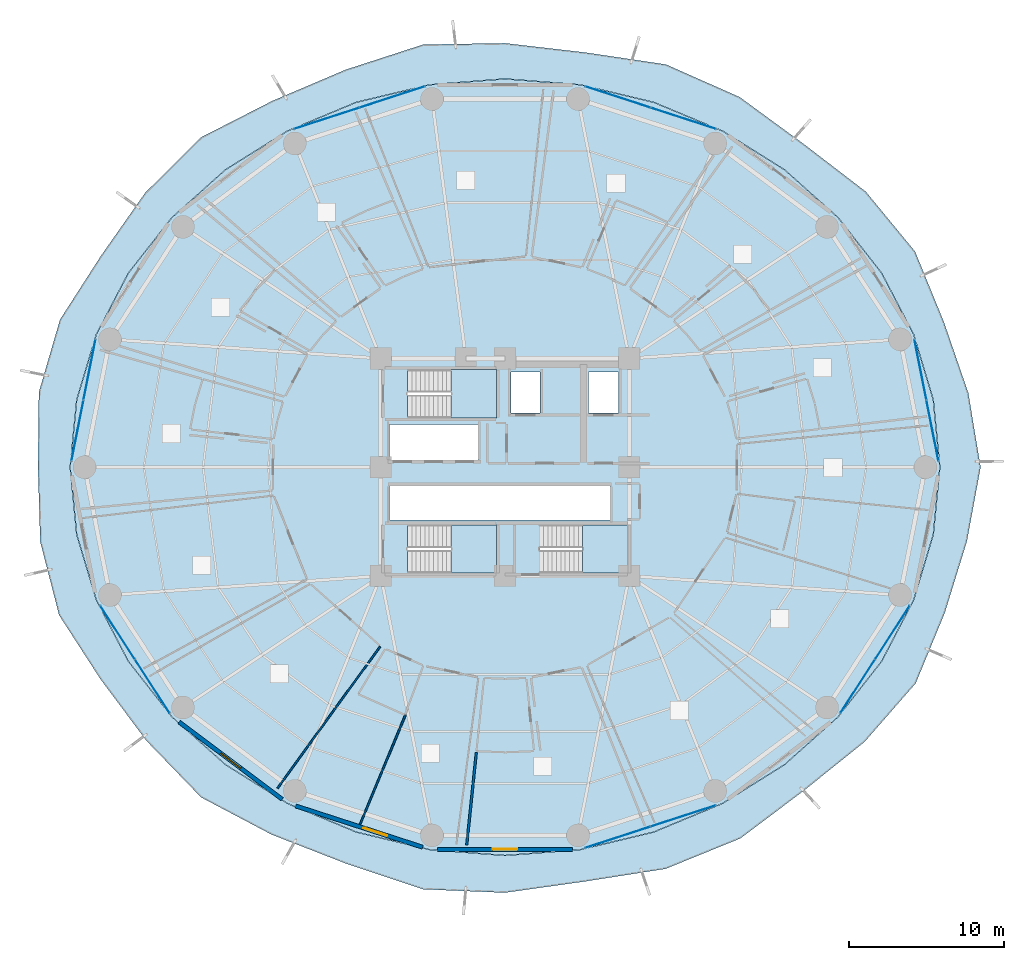
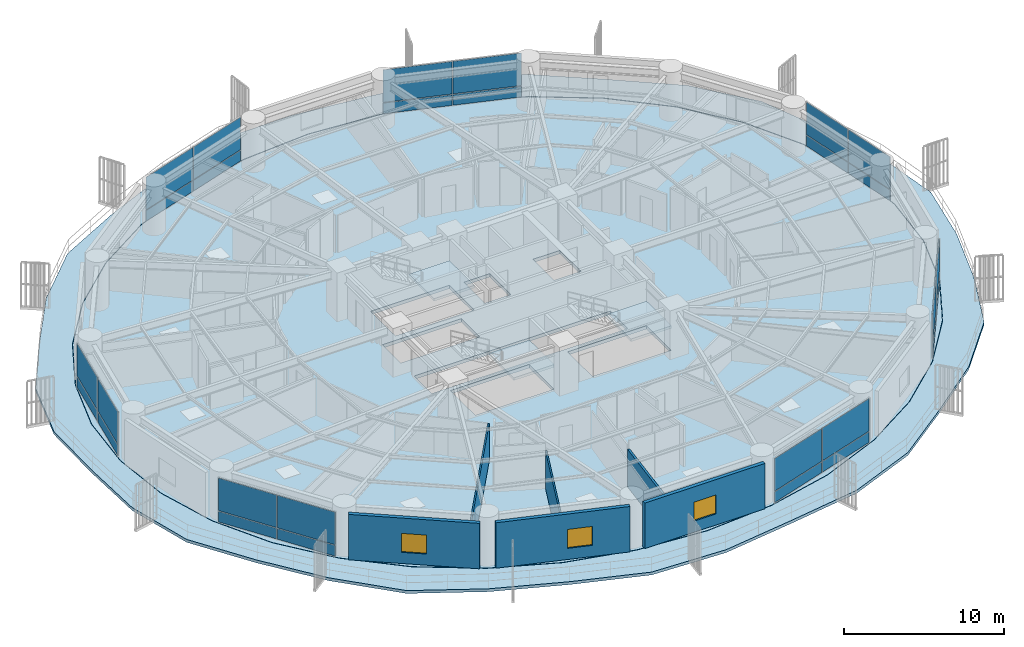
# One storey, part 21 of 32: 28 plates, 6 walls, 5 slabs, 3 windows, 3 openings, 10 elements without a shape of their own.
"""IFC4 building model written with IfcOpenShell, lengths in metres."""

from ifc_helpers import new_model, si_unit, direction, frame, frame_2d, origin, origin_2d, place, context, subcontext, project, spatial, polyline, rectangle, outline, extrude, source, transform, mapped, material, layer, layer_set, type_object, element, fill, aggregate, save


model = new_model("IFC4")

# Units and contexts
model_context = context("Model", 3, precision=1e-05, world=origin(), true_north=direction((0.0, 1.0)))
body_context = subcontext(model_context, "Body", "Model", "MODEL_VIEW")
ifc_project = project(units=[si_unit("LENGTHUNIT", "METRE"), si_unit("AREAUNIT", "SQUARE_METRE"), si_unit("VOLUMEUNIT", "CUBIC_METRE"), si_unit("PLANEANGLEUNIT", "RADIAN"), si_unit("MASSUNIT", "GRAM", prefix="KILO")], contexts=[model_context])

# Site, building, storey
site_placement = place(None, origin())
site = spatial("IfcSite", under=ifc_project, at=site_placement, CompositionType="ELEMENT")
building_placement = place(site_placement, origin())
building = spatial("IfcBuilding", under=site, at=building_placement, Name="Kelanora Arch Commons", CompositionType="ELEMENT")
storey_placement = place(building_placement, frame((0.0, 0.0, 48.75)))
storey = spatial("IfcBuildingStorey", under=building, at=storey_placement, Name="L12", CompositionType="ELEMENT", Elevation=48.75)

# Stair, slab
ifc_material_1 = material(Name="Concrete C40/50", Category="concrete")
stair_type = type_object("IfcStairType", Name="STR-DL-375", PredefinedType="HALF_TURN_STAIR", material=ifc_material_1)
stair_1_placement = place(storey_placement, origin())
stair_1 = element("IfcStair", 1, at=stair_1_placement, inside=storey, type_object=stair_type, Name="L12 ST-T1", PredefinedType="HALF_TURN_STAIR")
ifc_layer_1 = layer(ifc_material_1, 0.199951171875)
ifc_layer_set_1 = layer_set([ifc_layer_1], Name="Concrete C40/50")
slab_type_1 = type_object("IfcSlabType", Name="SLB-STAIR-LND", PredefinedType="LANDING", material=ifc_layer_set_1)
slab_1_placement = place(storey_placement, frame((0.0, 0.0, 1.675048828125)))
slab_1 = element("IfcSlab", 2, at=slab_1_placement, type_object=slab_type_1, Name="ST-T1 landing 1", PredefinedType="LANDING", context=body_context, shape_type="SweptSolid", body=[
    extrude(outline(polyline([(70.52001953125, 61.179931640625), (73.43994140625, 61.179931640625), (73.43994140625, 64.2900390625), (70.52001953125, 64.2900390625), (70.52001953125, 61.179931640625)])), origin(), (0.0, 0.0, 1.0), 0.199951171875),
])
aggregate(stair_1, [slab_1])

stair_2_placement = place(storey_placement, origin())
stair_2 = element("IfcStair", 3, at=stair_2_placement, inside=storey, type_object=stair_type, Name="L12 ST-T2", PredefinedType="HALF_TURN_STAIR")
slab_2_placement = place(storey_placement, frame((0.0, 0.0, 1.675048828125)))
slab_2 = element("IfcSlab", 4, at=slab_2_placement, type_object=slab_type_1, Name="ST-T2 landing 1", PredefinedType="LANDING", context=body_context, shape_type="SweptSolid", body=[
    extrude(outline(polyline([(79.0, 51.179931640625), (81.919921875, 51.179931640625), (81.919921875, 54.2900390625), (79.0, 54.2900390625), (79.0, 51.179931640625)])), origin(), (0.0, 0.0, 1.0), 0.199951171875),
])
aggregate(stair_2, [slab_2])

stair_3_placement = place(storey_placement, origin())
stair_3 = element("IfcStair", 5, at=stair_3_placement, inside=storey, type_object=stair_type, Name="L12 ST-T3", PredefinedType="HALF_TURN_STAIR")
slab_3_placement = place(storey_placement, frame((0.0, 0.0, 1.675048828125)))
slab_3 = element("IfcSlab", 6, at=slab_3_placement, type_object=slab_type_1, Name="ST-T3 landing 1", PredefinedType="LANDING", context=body_context, shape_type="SweptSolid", body=[
    extrude(outline(polyline([(70.52001953125, 51.179931640625), (73.43994140625, 51.179931640625), (73.43994140625, 54.2900390625), (70.52001953125, 54.2900390625), (70.52001953125, 51.179931640625)])), origin(), (0.0, 0.0, 1.0), 0.199951171875),
])
aggregate(stair_3, [slab_3])

# Slabs
ifc_layer_2 = layer(ifc_material_1, 0.260009765625)
ifc_layer_set_2 = layer_set([ifc_layer_2], Name="Concrete C40/50")
slab_type_2 = type_object("IfcSlabType", Name="SLB-TWR-TYP", PredefinedType="FLOOR", material=ifc_layer_set_2)
slab_4_placement = place(storey_placement, frame((0.0, 0.0, -0.260009765625)))
element("IfcSlab", 7, at=slab_4_placement, inside=storey, type_object=slab_type_2, Name="Tower Floor Slab L12", PredefinedType="FLOOR", context=body_context, shape_type="SweptSolid", body=[
    extrude(outline(polyline([(102.0, 58.0), (101.57470703125, 62.34130859375), (100.311279296875, 66.550537109375), (98.248779296875, 70.5), (95.44921875, 74.069580078125), (91.998046875, 77.151123046875), (88.0, 79.650634765625), (83.57666015625, 81.4921875), (78.862060546875, 82.6201171875), (74.0, 83.0), (69.137939453125, 82.6201171875), (64.42333984375, 81.4921875), (60.0, 79.650634765625), (56.001953125, 77.151123046875), (52.55078125, 74.069580078125), (49.751220703125, 70.5), (47.688720703125, 66.550537109375), (46.42529296875, 62.34130859375), (46.0, 58.0), (46.42529296875, 53.65869140625), (47.688720703125, 49.449462890625), (49.751220703125, 45.5), (52.55078125, 41.930419921875), (56.001953125, 38.848876953125), (60.0, 36.349365234375), (64.42333984375, 34.5078125), (69.137939453125, 33.3798828125), (74.0, 33.0), (78.862060546875, 33.3798828125), (83.57666015625, 34.5078125), (88.0, 36.349365234375), (91.998046875, 38.848876953125), (95.44921875, 41.930419921875), (98.248779296875, 45.5), (100.311279296875, 49.449462890625), (101.57470703125, 53.65869140625), (102.0, 58.0)]), holes=[polyline([(73.431884765625, 51.18798828125), (67.72802734375, 51.18798828125), (67.72802734375, 54.281982421875), (73.431884765625, 54.281982421875), (73.431884765625, 51.18798828125)]), polyline([(76.2080078125, 51.18798828125), (76.2080078125, 54.281982421875), (81.912109375, 54.281982421875), (81.912109375, 51.18798828125), (76.2080078125, 51.18798828125)]), polyline([(66.550048828125, 54.60009765625), (66.550048828125, 56.800048828125), (80.75, 56.800048828125), (80.75, 54.60009765625), (66.550048828125, 54.60009765625)]), polyline([(66.550048828125, 58.449951171875), (66.550048828125, 60.75), (72.25, 60.75), (72.25, 58.449951171875), (66.550048828125, 58.449951171875)]), polyline([(67.72802734375, 61.18798828125), (67.72802734375, 64.281982421875), (73.431884765625, 64.281982421875), (73.431884765625, 61.18798828125), (67.72802734375, 61.18798828125)]), polyline([(74.3798828125, 61.47998046875), (74.3798828125, 64.1201171875), (76.260009765625, 64.1201171875), (76.260009765625, 61.47998046875), (74.3798828125, 61.47998046875)]), polyline([(79.3798828125, 61.47998046875), (79.3798828125, 64.1201171875), (81.320068359375, 64.1201171875), (81.320068359375, 61.47998046875), (79.3798828125, 61.47998046875)])]), origin(), (0.0, 0.0, 1.0), 0.260009765625),
])
ifc_layer_3 = layer(ifc_material_1, 0.219970703125)
ifc_layer_set_3 = layer_set([ifc_layer_3], Name="Concrete C40/50")
slab_type_3 = type_object("IfcSlabType", Name="SLB-WAVE-BAL", PredefinedType="FLOOR", material=ifc_layer_set_3)
slab_5_placement = place(storey_placement, frame((0.0, 0.0, -0.219970703125)))
element("IfcSlab", 8, at=slab_5_placement, inside=storey, type_object=slab_type_3, Name="Sinusoidal Wave Balcony Slab L12", PredefinedType="FLOOR", context=body_context, shape_type="SweptSolid", body=[
    extrude(outline(polyline([(104.63330078125, 58.0), (103.839599609375, 62.78857421875), (102.27001953125, 67.348876953125), (100.408447265625, 71.896484375), (97.23681640625, 75.749755859375), (93.24365234375, 78.813720703125), (89.1240234375, 81.831298828125), (84.37158203125, 83.9384765625), (79.191162109375, 84.70947265625), (74.0, 85.308837890625), (68.728271484375, 85.221435546875), (63.738037109375, 83.601318359375), (59.002197265625, 81.586181640625), (54.4306640625, 79.248291015625), (50.832763671875, 75.68408203125), (47.99267578125, 71.63720703125), (45.3388671875, 67.50830078125), (43.97509765625, 62.8251953125), (43.918212890625, 58.0), (44.06494140625, 53.192626953125), (45.281005859375, 48.468017578125), (47.95166015625, 44.336181640625), (50.902587890625, 40.38134765625), (54.42041015625, 36.738037109375), (58.963623046875, 34.339111328125), (63.760986328125, 32.469482421875), (68.7333984375, 30.8115234375), (74.0, 30.593994140625), (79.185791015625, 31.323486328125), (84.348388671875, 32.132568359375), (89.16259765625, 34.093994140625), (93.25390625, 37.172607421875), (97.167236328125, 40.31591796875), (100.44921875, 44.076904296875), (102.327880859375, 48.62744140625), (103.75, 53.229248046875), (104.63330078125, 58.0)]), holes=[polyline([(101.59423828125, 53.6552734375), (100.330078125, 49.442626953125), (98.26611328125, 45.489990234375), (95.464599609375, 41.91748046875), (92.010986328125, 38.83349609375), (88.010009765625, 36.33203125), (83.58349609375, 34.489013671875), (78.865478515625, 33.360107421875), (74.0, 32.97998046875), (69.134521484375, 33.360107421875), (64.41650390625, 34.489013671875), (59.989990234375, 36.33203125), (55.989013671875, 38.83349609375), (52.535400390625, 41.91748046875), (49.73388671875, 45.489990234375), (47.669921875, 49.442626953125), (46.40576171875, 53.6552734375), (45.97998046875, 58.0), (46.40576171875, 62.3447265625), (47.669921875, 66.557373046875), (49.73388671875, 70.510009765625), (52.535400390625, 74.08251953125), (55.989013671875, 77.16650390625), (59.989990234375, 79.66796875), (64.41650390625, 81.510986328125), (69.134521484375, 82.639892578125), (74.0, 83.02001953125), (78.865478515625, 82.639892578125), (83.58349609375, 81.510986328125), (88.010009765625, 79.66796875), (92.010986328125, 77.16650390625), (95.464599609375, 74.08251953125), (98.26611328125, 70.510009765625), (100.330078125, 66.557373046875), (101.59423828125, 62.3447265625), (102.02001953125, 58.0), (101.59423828125, 53.6552734375)])]), origin(), (0.0, 0.0, 1.0), 0.219970703125),
])

# Curtain wall, plates
ifc_material_2 = material(Name="Terracotta ceramic-fritted low-E glass and aluminium", Category="masonry")
ifc_layer_4 = layer(ifc_material_2, 0.159912109375)
ifc_layer_set_4 = layer_set([ifc_layer_4], Name="Terracotta ceramic-fritted low-E glass and aluminium")
curtain_wall_type = type_object("IfcCurtainWallType", Name="CW-SYS-01", PredefinedType="NOTDEFINED", material=ifc_layer_set_4)
curtain_wall_1_placement = place(storey_placement, origin())
curtain_wall_1 = element("IfcCurtainWall", 9, at=curtain_wall_1_placement, inside=storey, type_object=curtain_wall_type, Name="Unitised Curtain Wall L12-B00", PredefinedType="NOTDEFINED")
ifc_material_3 = material(Name="Terracotta ceramic-fritted double glazing", Category="masonry")
ifc_layer_5 = layer(ifc_material_3, 0.028076171875)
ifc_layer_set_5 = layer_set([ifc_layer_5], Name="Terracotta ceramic-fritted double glazing")
plate_type = type_object("IfcPlateType", Name="CWP-FRIT", PredefinedType="CURTAIN_PANEL", material=ifc_layer_set_5)
shared_shape_1 = source(origin(), body_context, "Body", "SweptSolid", [
    extrude(rectangle(XDim=3.9482421875, YDim=0.028076171875, at=origin_2d()), origin(), (0.0, 0.0, 1.0), 0.81005859375),
])
plate_1_placement = place(storey_placement, frame((101.536865234375, 60.34521484375, 0.06005859375), z_axis=(0.0, 0.0, 1.0), x_axis=(-0.193744048498, 0.981052110579, 0.0)))
plate_1 = element("IfcPlate", 10, at=plate_1_placement, type_object=plate_type, Name="CW-01 panel 1.1", PredefinedType="CURTAIN_PANEL", context=body_context, shape_type="MappedRepresentation", body=[
    mapped(shared_shape_1, transform((0.0, 0.0, 0.0), scale=1.0)),
])
plate_2_placement = place(storey_placement, frame((100.76025390625, 64.277587890625, 0.06005859375), z_axis=(0.0, 0.0, 1.0), x_axis=(-0.193744048498, 0.981052110579, 0.0)))
plate_2 = element("IfcPlate", 11, at=plate_2_placement, type_object=plate_type, Name="CW-01 panel 2.1", PredefinedType="CURTAIN_PANEL", context=body_context, shape_type="MappedRepresentation", body=[
    mapped(shared_shape_1, transform((0.0, 0.0, 0.0), scale=1.0)),
])

curtain_wall_2_placement = place(storey_placement, origin())
curtain_wall_2 = element("IfcCurtainWall", 12, at=curtain_wall_2_placement, inside=storey, type_object=curtain_wall_type, Name="Unitised Curtain Wall L12-B08", PredefinedType="NOTDEFINED")
plate_3_placement = place(storey_placement, frame((47.23974609375, 64.277587890625, 0.06005859375), z_axis=(0.0, 0.0, 1.0), x_axis=(-0.193744048498, -0.981052110579, 0.0)))
plate_3 = element("IfcPlate", 13, at=plate_3_placement, type_object=plate_type, Name="CW-01 panel 1.1", PredefinedType="CURTAIN_PANEL", context=body_context, shape_type="MappedRepresentation", body=[
    mapped(shared_shape_1, transform((0.0, 0.0, 0.0), scale=1.0)),
])
plate_4_placement = place(storey_placement, frame((46.463134765625, 60.34521484375, 0.06005859375), z_axis=(0.0, 0.0, 1.0), x_axis=(-0.193744048498, -0.981052110579, 0.0)))
plate_4 = element("IfcPlate", 14, at=plate_4_placement, type_object=plate_type, Name="CW-01 panel 2.1", PredefinedType="CURTAIN_PANEL", context=body_context, shape_type="MappedRepresentation", body=[
    mapped(shared_shape_1, transform((0.0, 0.0, 0.0), scale=1.0)),
])

# Plate
shared_shape_2 = source(origin(), body_context, "Body", "SweptSolid", [
    extrude(rectangle(XDim=3.9482421875, YDim=0.028076171875, at=origin_2d()), origin(), (0.0, 0.0, 1.0), 2.485107421875),
])
plate_5_placement = place(storey_placement, frame((101.536865234375, 60.34521484375, 0.93017578125), z_axis=(0.0, 0.0, 1.0), x_axis=(-0.193744048498, 0.981052110579, 0.0)))
plate_5 = element("IfcPlate", 15, at=plate_5_placement, type_object=plate_type, Name="CW-01 panel 1.2", PredefinedType="CURTAIN_PANEL", context=body_context, shape_type="MappedRepresentation", body=[
    mapped(shared_shape_2, transform((0.0, 0.0, 0.0), scale=1.0)),
])

plate_6_placement = place(storey_placement, frame((100.76025390625, 64.277587890625, 0.93017578125), z_axis=(0.0, 0.0, 1.0), x_axis=(-0.193744048498, 0.981052110579, 0.0)))
plate_6 = element("IfcPlate", 16, at=plate_6_placement, type_object=plate_type, Name="CW-01 panel 2.2", PredefinedType="CURTAIN_PANEL", context=body_context, shape_type="MappedRepresentation", body=[
    mapped(shared_shape_2, transform((0.0, 0.0, 0.0), scale=1.0)),
])

aggregate(curtain_wall_1, [plate_1, plate_5, plate_2, plate_6])

plate_7_placement = place(storey_placement, frame((47.23974609375, 64.277587890625, 0.93017578125), z_axis=(0.0, 0.0, 1.0), x_axis=(-0.193744048498, -0.981052110579, 0.0)))
plate_7 = element("IfcPlate", 17, at=plate_7_placement, type_object=plate_type, Name="CW-01 panel 1.2", PredefinedType="CURTAIN_PANEL", context=body_context, shape_type="MappedRepresentation", body=[
    mapped(shared_shape_2, transform((0.0, 0.0, 0.0), scale=1.0)),
])

plate_8_placement = place(storey_placement, frame((46.463134765625, 60.34521484375, 0.93017578125), z_axis=(0.0, 0.0, 1.0), x_axis=(-0.193744048498, -0.981052110579, 0.0)))
plate_8 = element("IfcPlate", 18, at=plate_8_placement, type_object=plate_type, Name="CW-01 panel 2.2", PredefinedType="CURTAIN_PANEL", context=body_context, shape_type="MappedRepresentation", body=[
    mapped(shared_shape_2, transform((0.0, 0.0, 0.0), scale=1.0)),
])

aggregate(curtain_wall_2, [plate_3, plate_7, plate_4, plate_8])

# Curtain wall, plates
curtain_wall_3_placement = place(storey_placement, origin())
curtain_wall_3 = element("IfcCurtainWall", 19, at=curtain_wall_3_placement, inside=storey, type_object=curtain_wall_type, Name="Unitised Curtain Wall L12-B03", PredefinedType="NOTDEFINED")
shared_shape_3 = source(origin(), body_context, "Body", "SweptSolid", [
    extrude(rectangle(XDim=4.39453125, YDim=0.028076171875, at=origin_2d()), origin(), (0.0, 0.0, 1.0), 0.81005859375),
])
plate_9_placement = place(storey_placement, frame((85.4892578125, 80.466552734375, 0.06005859375), z_axis=(0.0, 0.0, 1.0), x_axis=(-0.951043326793, 0.30905758454, 0.0)))
plate_9 = element("IfcPlate", 20, at=plate_9_placement, type_object=plate_type, Name="CW-01 panel 1.1", PredefinedType="CURTAIN_PANEL", context=body_context, shape_type="MappedRepresentation", body=[
    mapped(shared_shape_3, transform((0.0, 0.0, 0.0), scale=1.0)),
])
plate_10_placement = place(storey_placement, frame((81.252685546875, 81.84326171875, 0.06005859375), z_axis=(0.0, 0.0, 1.0), x_axis=(-0.951043326793, 0.30905758454, 0.0)))
plate_10 = element("IfcPlate", 21, at=plate_10_placement, type_object=plate_type, Name="CW-01 panel 2.1", PredefinedType="CURTAIN_PANEL", context=body_context, shape_type="MappedRepresentation", body=[
    mapped(shared_shape_3, transform((0.0, 0.0, 0.0), scale=1.0)),
])

curtain_wall_4_placement = place(storey_placement, origin())
curtain_wall_4 = element("IfcCurtainWall", 22, at=curtain_wall_4_placement, inside=storey, type_object=curtain_wall_type, Name="Unitised Curtain Wall L12-B05", PredefinedType="NOTDEFINED")
plate_11_placement = place(storey_placement, frame((66.747314453125, 81.84326171875, 0.06005859375), z_axis=(0.0, 0.0, 1.0), x_axis=(-0.951043326793, -0.30905758454, 0.0)))
plate_11 = element("IfcPlate", 23, at=plate_11_placement, type_object=plate_type, Name="CW-01 panel 1.1", PredefinedType="CURTAIN_PANEL", context=body_context, shape_type="MappedRepresentation", body=[
    mapped(shared_shape_3, transform((0.0, 0.0, 0.0), scale=1.0)),
])
plate_12_placement = place(storey_placement, frame((62.5107421875, 80.466552734375, 0.06005859375), z_axis=(0.0, 0.0, 1.0), x_axis=(-0.951043326793, -0.30905758454, 0.0)))
plate_12 = element("IfcPlate", 24, at=plate_12_placement, type_object=plate_type, Name="CW-01 panel 2.1", PredefinedType="CURTAIN_PANEL", context=body_context, shape_type="MappedRepresentation", body=[
    mapped(shared_shape_3, transform((0.0, 0.0, 0.0), scale=1.0)),
])

curtain_wall_5_placement = place(storey_placement, origin())
curtain_wall_5 = element("IfcCurtainWall", 25, at=curtain_wall_5_placement, inside=storey, type_object=curtain_wall_type, Name="Unitised Curtain Wall L12-B14", PredefinedType="NOTDEFINED")
plate_13_placement = place(storey_placement, frame((81.252685546875, 34.15673828125, 0.06005859375), z_axis=(0.0, 0.0, 1.0), x_axis=(0.951043326793, 0.30905758454, 0.0)))
plate_13 = element("IfcPlate", 26, at=plate_13_placement, type_object=plate_type, Name="CW-01 panel 1.1", PredefinedType="CURTAIN_PANEL", context=body_context, shape_type="MappedRepresentation", body=[
    mapped(shared_shape_3, transform((0.0, 0.0, 0.0), scale=1.0)),
])
plate_14_placement = place(storey_placement, frame((85.4892578125, 35.533447265625, 0.06005859375), z_axis=(0.0, 0.0, 1.0), x_axis=(0.951043326793, 0.30905758454, 0.0)))
plate_14 = element("IfcPlate", 27, at=plate_14_placement, type_object=plate_type, Name="CW-01 panel 2.1", PredefinedType="CURTAIN_PANEL", context=body_context, shape_type="MappedRepresentation", body=[
    mapped(shared_shape_3, transform((0.0, 0.0, 0.0), scale=1.0)),
])

# Plate
shared_shape_4 = source(origin(), body_context, "Body", "SweptSolid", [
    extrude(rectangle(XDim=4.39453125, YDim=0.028076171875, at=origin_2d()), origin(), (0.0, 0.0, 1.0), 2.485107421875),
])
plate_15_placement = place(storey_placement, frame((85.4892578125, 80.466552734375, 0.93017578125), z_axis=(0.0, 0.0, 1.0), x_axis=(-0.951043326793, 0.30905758454, 0.0)))
plate_15 = element("IfcPlate", 28, at=plate_15_placement, type_object=plate_type, Name="CW-01 panel 1.2", PredefinedType="CURTAIN_PANEL", context=body_context, shape_type="MappedRepresentation", body=[
    mapped(shared_shape_4, transform((0.0, 0.0, 0.0), scale=1.0)),
])

plate_16_placement = place(storey_placement, frame((81.252685546875, 81.84326171875, 0.93017578125), z_axis=(0.0, 0.0, 1.0), x_axis=(-0.951043326793, 0.30905758454, 0.0)))
plate_16 = element("IfcPlate", 29, at=plate_16_placement, type_object=plate_type, Name="CW-01 panel 2.2", PredefinedType="CURTAIN_PANEL", context=body_context, shape_type="MappedRepresentation", body=[
    mapped(shared_shape_4, transform((0.0, 0.0, 0.0), scale=1.0)),
])

aggregate(curtain_wall_3, [plate_9, plate_15, plate_10, plate_16])

plate_17_placement = place(storey_placement, frame((66.747314453125, 81.84326171875, 0.93017578125), z_axis=(0.0, 0.0, 1.0), x_axis=(-0.951043326793, -0.30905758454, 0.0)))
plate_17 = element("IfcPlate", 30, at=plate_17_placement, type_object=plate_type, Name="CW-01 panel 1.2", PredefinedType="CURTAIN_PANEL", context=body_context, shape_type="MappedRepresentation", body=[
    mapped(shared_shape_4, transform((0.0, 0.0, 0.0), scale=1.0)),
])

plate_18_placement = place(storey_placement, frame((62.5107421875, 80.466552734375, 0.93017578125), z_axis=(0.0, 0.0, 1.0), x_axis=(-0.951043326793, -0.30905758454, 0.0)))
plate_18 = element("IfcPlate", 31, at=plate_18_placement, type_object=plate_type, Name="CW-01 panel 2.2", PredefinedType="CURTAIN_PANEL", context=body_context, shape_type="MappedRepresentation", body=[
    mapped(shared_shape_4, transform((0.0, 0.0, 0.0), scale=1.0)),
])

aggregate(curtain_wall_4, [plate_11, plate_17, plate_12, plate_18])

plate_19_placement = place(storey_placement, frame((81.252685546875, 34.15673828125, 0.93017578125), z_axis=(0.0, 0.0, 1.0), x_axis=(0.951043326793, 0.30905758454, 0.0)))
plate_19 = element("IfcPlate", 32, at=plate_19_placement, type_object=plate_type, Name="CW-01 panel 1.2", PredefinedType="CURTAIN_PANEL", context=body_context, shape_type="MappedRepresentation", body=[
    mapped(shared_shape_4, transform((0.0, 0.0, 0.0), scale=1.0)),
])

plate_20_placement = place(storey_placement, frame((85.4892578125, 35.533447265625, 0.93017578125), z_axis=(0.0, 0.0, 1.0), x_axis=(0.951043326793, 0.30905758454, 0.0)))
plate_20 = element("IfcPlate", 33, at=plate_20_placement, type_object=plate_type, Name="CW-01 panel 2.2", PredefinedType="CURTAIN_PANEL", context=body_context, shape_type="MappedRepresentation", body=[
    mapped(shared_shape_4, transform((0.0, 0.0, 0.0), scale=1.0)),
])

aggregate(curtain_wall_5, [plate_13, plate_19, plate_14, plate_20])

# Curtain wall, plates
curtain_wall_6_placement = place(storey_placement, origin())
curtain_wall_6 = element("IfcCurtainWall", 34, at=curtain_wall_6_placement, inside=storey, type_object=curtain_wall_type, Name="Unitised Curtain Wall L12-B10", PredefinedType="NOTDEFINED")
shared_shape_5 = source(origin(), body_context, "Body", "SweptSolid", [
    extrude(rectangle(XDim=4.06787109375, YDim=0.028076171875, at=origin_2d()), origin(), (0.0, 0.0, 1.0), 0.81005859375),
])
plate_21_placement = place(storey_placement, frame((49.04833984375, 47.346435546875, 0.06005859375), z_axis=(0.0, 0.0, 1.0), x_axis=(0.543004441812, -0.83972982332, 0.0)))
plate_21 = element("IfcPlate", 35, at=plate_21_placement, type_object=plate_type, Name="CW-01 panel 1.1", PredefinedType="CURTAIN_PANEL", context=body_context, shape_type="MappedRepresentation", body=[
    mapped(shared_shape_5, transform((0.0, 0.0, 0.0), scale=1.0)),
])
plate_22_placement = place(storey_placement, frame((51.289794921875, 43.880126953125, 0.06005859375), z_axis=(0.0, 0.0, 1.0), x_axis=(0.543004441812, -0.83972982332, 0.0)))
plate_22 = element("IfcPlate", 36, at=plate_22_placement, type_object=plate_type, Name="CW-01 panel 2.1", PredefinedType="CURTAIN_PANEL", context=body_context, shape_type="MappedRepresentation", body=[
    mapped(shared_shape_5, transform((0.0, 0.0, 0.0), scale=1.0)),
])

curtain_wall_7_placement = place(storey_placement, origin())
curtain_wall_7 = element("IfcCurtainWall", 37, at=curtain_wall_7_placement, inside=storey, type_object=curtain_wall_type, Name="Unitised Curtain Wall L12-B16", PredefinedType="NOTDEFINED")
plate_23_placement = place(storey_placement, frame((96.710205078125, 43.880126953125, 0.06005859375), z_axis=(0.0, 0.0, 1.0), x_axis=(0.543004441812, 0.83972982332, 0.0)))
plate_23 = element("IfcPlate", 38, at=plate_23_placement, type_object=plate_type, Name="CW-01 panel 1.1", PredefinedType="CURTAIN_PANEL", context=body_context, shape_type="MappedRepresentation", body=[
    mapped(shared_shape_5, transform((0.0, 0.0, 0.0), scale=1.0)),
])
plate_24_placement = place(storey_placement, frame((98.95166015625, 47.346435546875, 0.06005859375), z_axis=(0.0, 0.0, 1.0), x_axis=(0.543004441812, 0.83972982332, 0.0)))
plate_24 = element("IfcPlate", 39, at=plate_24_placement, type_object=plate_type, Name="CW-01 panel 2.1", PredefinedType="CURTAIN_PANEL", context=body_context, shape_type="MappedRepresentation", body=[
    mapped(shared_shape_5, transform((0.0, 0.0, 0.0), scale=1.0)),
])

# Plate
shared_shape_6 = source(origin(), body_context, "Body", "SweptSolid", [
    extrude(rectangle(XDim=4.06787109375, YDim=0.028076171875, at=origin_2d()), origin(), (0.0, 0.0, 1.0), 2.485107421875),
])
plate_25_placement = place(storey_placement, frame((49.04833984375, 47.346435546875, 0.93017578125), z_axis=(0.0, 0.0, 1.0), x_axis=(0.543004441812, -0.83972982332, 0.0)))
plate_25 = element("IfcPlate", 40, at=plate_25_placement, type_object=plate_type, Name="CW-01 panel 1.2", PredefinedType="CURTAIN_PANEL", context=body_context, shape_type="MappedRepresentation", body=[
    mapped(shared_shape_6, transform((0.0, 0.0, 0.0), scale=1.0)),
])

plate_26_placement = place(storey_placement, frame((51.289794921875, 43.880126953125, 0.93017578125), z_axis=(0.0, 0.0, 1.0), x_axis=(0.543004441812, -0.83972982332, 0.0)))
plate_26 = element("IfcPlate", 41, at=plate_26_placement, type_object=plate_type, Name="CW-01 panel 2.2", PredefinedType="CURTAIN_PANEL", context=body_context, shape_type="MappedRepresentation", body=[
    mapped(shared_shape_6, transform((0.0, 0.0, 0.0), scale=1.0)),
])

aggregate(curtain_wall_6, [plate_21, plate_25, plate_22, plate_26])

plate_27_placement = place(storey_placement, frame((96.710205078125, 43.880126953125, 0.93017578125), z_axis=(0.0, 0.0, 1.0), x_axis=(0.543004441812, 0.83972982332, 0.0)))
plate_27 = element("IfcPlate", 42, at=plate_27_placement, type_object=plate_type, Name="CW-01 panel 1.2", PredefinedType="CURTAIN_PANEL", context=body_context, shape_type="MappedRepresentation", body=[
    mapped(shared_shape_6, transform((0.0, 0.0, 0.0), scale=1.0)),
])

plate_28_placement = place(storey_placement, frame((98.95166015625, 47.346435546875, 0.93017578125), z_axis=(0.0, 0.0, 1.0), x_axis=(0.543004441812, 0.83972982332, 0.0)))
plate_28 = element("IfcPlate", 43, at=plate_28_placement, type_object=plate_type, Name="CW-01 panel 2.2", PredefinedType="CURTAIN_PANEL", context=body_context, shape_type="MappedRepresentation", body=[
    mapped(shared_shape_6, transform((0.0, 0.0, 0.0), scale=1.0)),
])

aggregate(curtain_wall_7, [plate_23, plate_27, plate_24, plate_28])

# Wall
ifc_material_4 = material(Name="Autoclaved aerated concrete blockwork with fire plaster", Category="masonry")
ifc_layer_6 = layer(ifc_material_4, 0.14990234375)
ifc_layer_set_6 = layer_set([ifc_layer_6], Name="Autoclaved aerated concrete blockwork with fire plaster")
wall_type_1 = type_object("IfcWallType", Name="W-COMP-150", PredefinedType="PARTITIONING", material=ifc_layer_set_6)
wall_1_placement = place(storey_placement, frame((71.5341796875, 33.65869140625, 0.0), z_axis=(0.0, 0.0, 1.0), x_axis=(0.103033712488, 0.994677864482, 0.0)))
element("IfcWall", 44, at=wall_1_placement, inside=storey, type_object=wall_type_1, Name="Co-Living Studio L12-11 Enclosure Partition 5", PredefinedType="PARTITIONING", context=body_context, shape_type="SweptSolid", body=[
    extrude(rectangle(XDim=6.00439453125, YDim=0.14990234375, at=frame_2d((3.002197265625, 0.0))), origin(), (0.0, 0.0, 1.0), 2.875),
])

# Wall, opening, window
ifc_material_5 = material(Name="Precast concrete C40/50 with terracotta rainscreen", Category="masonry")
ifc_layer_7 = layer(ifc_material_5, 0.260009765625)
ifc_layer_set_7 = layer_set([ifc_layer_7], Name="Precast concrete C40/50 with terracotta rainscreen")
wall_type_2 = type_object("IfcWallType", Name="W-EXT-TC", PredefinedType="SOLIDWALL", material=ifc_layer_set_7)
wall_2_placement = place(storey_placement, frame((53.01611328125, 41.581787109375, 0.0), z_axis=(0.0, 0.0, 1.0), x_axis=(0.80030733173, -0.599590005569, 0.0)))
wall_2 = element("IfcWall", 45, at=wall_2_placement, inside=storey, type_object=wall_type_2, Name="Terracotta Exterior Wall L12-B11", PredefinedType="SOLIDWALL", context=body_context, shape_type="SweptSolid", body=[
    extrude(rectangle(XDim=8.29052734375, YDim=0.260009765625, at=frame_2d((4.145263671875, 0.0))), origin(), (0.0, 0.0, 1.0), 3.47509765625),
])
opening_1_placement = place(wall_2_placement, frame((3.344970703125, 0.0, 0.85009765625)))
opening_1 = element("IfcOpeningElement", 46, at=opening_1_placement, cuts=wall_2, Name="Opening WN-01", PredefinedType="OPENING", context=body_context, shape_type="SweptSolid", body=[
    extrude(rectangle(XDim=1.60009765625, YDim=1.449951171875, at=frame_2d((0.800048828125, 0.72509765625))), frame((0.0, 0.14013671875, 0.0), z_axis=(0.0, -1.0, 0.0), x_axis=(1.0, 0.0, 0.0)), (0.0, 0.0, 1.0), 0.280029296875),
])
ifc_material_6 = material(Name="Terracotta-anodised aluminium frame with operable low-E glazing", Category="masonry")
window_type = type_object("IfcWindowType", Name="WIN-CL-18", PartitioningType="DOUBLE_PANEL_VERTICAL", PredefinedType="WINDOW", material=ifc_material_6)
window_1_placement = place(opening_1_placement, origin())
window_1 = element("IfcWindow", 47, at=window_1_placement, inside=storey, type_object=window_type, Name="Co-Living Operable Window L12-B11", OverallHeight=1.449951171875, OverallWidth=1.60009765625, PartitioningType="SINGLE_PANEL", PredefinedType="WINDOW", context=body_context, shape_type="SweptSolid", body=[
    extrude(rectangle(XDim=1.60009765625, YDim=1.449951171875, at=frame_2d((0.800048828125, 0.72509765625))), frame((0.0, 0.030029296875, 0.0), z_axis=(0.0, -1.0, 0.0), x_axis=(1.0, 0.0, 0.0)), (0.0, 0.0, 1.0), 0.06005859375),
])
fill(opening_1, window_1)

wall_3_placement = place(storey_placement, frame((60.5263671875, 36.178466796875, 0.0), z_axis=(0.0, 0.0, 1.0), x_axis=(0.951039914291, -0.309068085421, 0.0)))
wall_3 = element("IfcWall", 48, at=wall_3_placement, inside=storey, type_object=wall_type_2, Name="Terracotta Exterior Wall L12-B12", PredefinedType="SOLIDWALL", context=body_context, shape_type="SweptSolid", body=[
    extrude(rectangle(XDim=8.593505859375, YDim=0.260009765625, at=frame_2d((4.296875, 0.0))), origin(), (0.0, 0.0, 1.0), 3.47509765625),
])
opening_2_placement = place(wall_3_placement, frame((4.576904296875, 0.0, 0.85009765625)))
opening_2 = element("IfcOpeningElement", 49, at=opening_2_placement, cuts=wall_3, Name="Opening WN-01", PredefinedType="OPENING", context=body_context, shape_type="SweptSolid", body=[
    extrude(rectangle(XDim=1.60009765625, YDim=1.449951171875, at=frame_2d((0.800048828125, 0.72509765625))), frame((0.0, 0.14013671875, 0.0), z_axis=(0.0, -1.0, 0.0), x_axis=(1.0, 0.0, 0.0)), (0.0, 0.0, 1.0), 0.280029296875),
])
window_2_placement = place(opening_2_placement, origin())
window_2 = element("IfcWindow", 50, at=window_2_placement, inside=storey, type_object=window_type, Name="Co-Living Operable Window L12-B12", OverallHeight=1.449951171875, OverallWidth=1.60009765625, PartitioningType="SINGLE_PANEL", PredefinedType="WINDOW", context=body_context, shape_type="SweptSolid", body=[
    extrude(rectangle(XDim=1.60009765625, YDim=1.449951171875, at=frame_2d((0.800048828125, 0.72509765625))), frame((0.0, 0.030029296875, 0.0), z_axis=(0.0, -1.0, 0.0), x_axis=(1.0, 0.0, 0.0)), (0.0, 0.0, 1.0), 0.06005859375),
])
fill(opening_2, window_2)

wall_4_placement = place(storey_placement, frame((69.64404296875, 33.3798828125, 0.0), z_axis=(0.0, 0.0, 1.0), x_axis=(1.0, 0.0, 0.0)))
wall_4 = element("IfcWall", 51, at=wall_4_placement, inside=storey, type_object=wall_type_2, Name="Terracotta Exterior Wall L12-B13", PredefinedType="SOLIDWALL", context=body_context, shape_type="SweptSolid", body=[
    extrude(rectangle(XDim=8.7119140625, YDim=0.260009765625, at=frame_2d((4.35595703125, 0.0))), origin(), (0.0, 0.0, 1.0), 3.47509765625),
])
opening_3_placement = place(wall_4_placement, frame((3.555908203125, 0.0, 0.85009765625)))
opening_3 = element("IfcOpeningElement", 52, at=opening_3_placement, cuts=wall_4, Name="Opening WN-01", PredefinedType="OPENING", context=body_context, shape_type="SweptSolid", body=[
    extrude(rectangle(XDim=1.60009765625, YDim=1.449951171875, at=frame_2d((0.800048828125, 0.72509765625))), frame((0.0, 0.14013671875, 0.0), z_axis=(0.0, -1.0, 0.0), x_axis=(1.0, 0.0, 0.0)), (0.0, 0.0, 1.0), 0.280029296875),
])
window_3_placement = place(opening_3_placement, origin())
window_3 = element("IfcWindow", 53, at=window_3_placement, inside=storey, type_object=window_type, Name="Co-Living Operable Window L12-B13", OverallHeight=1.449951171875, OverallWidth=1.60009765625, PartitioningType="SINGLE_PANEL", PredefinedType="WINDOW", context=body_context, shape_type="SweptSolid", body=[
    extrude(rectangle(XDim=1.60009765625, YDim=1.449951171875, at=frame_2d((0.800048828125, 0.72509765625))), frame((0.0, 0.030029296875, 0.0), z_axis=(0.0, -1.0, 0.0), x_axis=(1.0, 0.0, 0.0)), (0.0, 0.0, 1.0), 0.06005859375),
])
fill(opening_3, window_3)

# Walls
ifc_material_7 = material(Name="Lightweight fire-rated acoustic stud partition")
ifc_layer_8 = layer(ifc_material_7, 0.10009765625)
ifc_layer_set_8 = layer_set([ifc_layer_8], Name="Lightweight fire-rated acoustic stud partition")
wall_type_3 = type_object("IfcWallType", Name="W-PART-100", PredefinedType="PARTITIONING", material=ifc_layer_set_8)
wall_5_placement = place(storey_placement, frame((65.951416015625, 46.442626953125, 0.0), z_axis=(0.0, 0.0, 1.0), x_axis=(-0.586718941426, -0.809790641939, 0.0)))
element("IfcWall", 54, at=wall_5_placement, inside=storey, type_object=wall_type_3, Name="Social Sky Lounge L12-09 Enclosure Partition 2", PredefinedType="PARTITIONING", context=body_context, shape_type="SweptSolid", body=[
    extrude(rectangle(XDim=11.248779296875, YDim=0.10009765625, at=frame_2d((5.62451171875, 0.0))), origin(), (0.0, 0.0, 1.0), 2.875),
])
wall_6_placement = place(storey_placement, frame((64.67333984375, 35.014892578125, 0.0), z_axis=(0.0, 0.0, 1.0), x_axis=(0.383188399733, 0.923670206464, 0.0)))
element("IfcWall", 55, at=wall_6_placement, inside=storey, type_object=wall_type_3, Name="Tutorial Study Alcove L12-10 Enclosure Partition 4", PredefinedType="PARTITIONING", context=body_context, shape_type="SweptSolid", body=[
    extrude(rectangle(XDim=7.619384765625, YDim=0.10009765625, at=frame_2d((3.8095703125, 0.0))), origin(), (0.0, 0.0, 1.0), 2.875),
])

save(model, "model.ifc")
